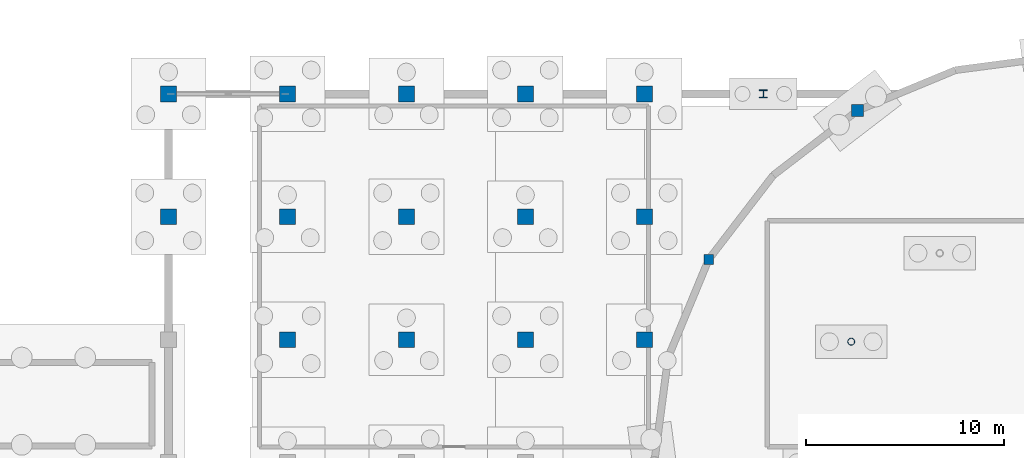
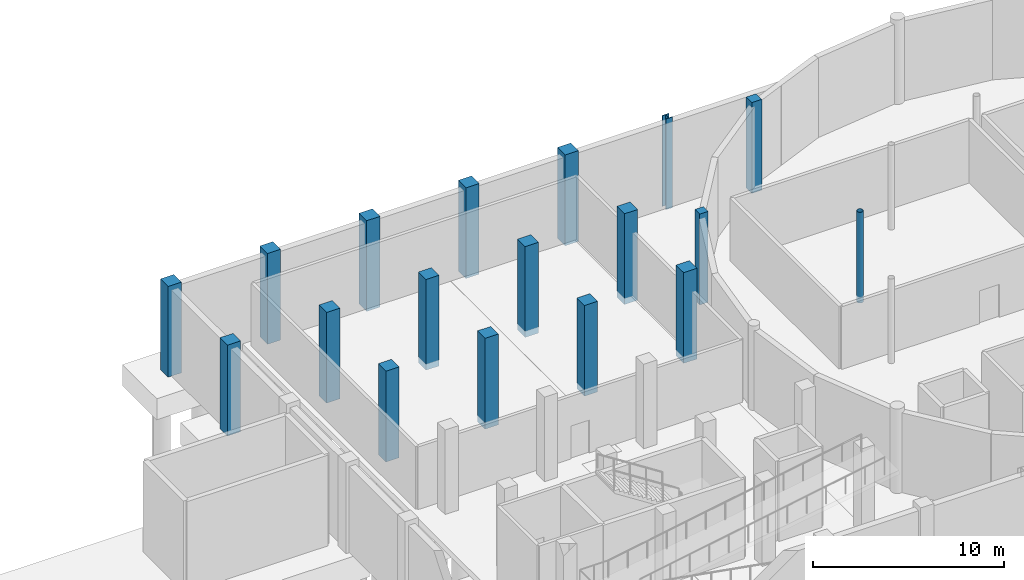
# One storey, part 6 of 19: 18 columns.
"""IFC4 building model written with IfcOpenShell, lengths in metres."""

from ifc_helpers import new_model, si_unit, direction, frame, origin, origin_2d, place, context, subcontext, project, spatial, rectangle, hollow_circle, i_section, extrude, material, material_profile, profile_set, type_object, element, save


model = new_model("IFC4")

# Units and contexts
model_context = context("Model", 3, precision=1e-05, world=origin(), true_north=direction((0.0, 1.0)))
body_context = subcontext(model_context, "Body", "Model", "MODEL_VIEW")
ifc_project = project(units=[si_unit("LENGTHUNIT", "METRE"), si_unit("AREAUNIT", "SQUARE_METRE"), si_unit("VOLUMEUNIT", "CUBIC_METRE"), si_unit("PLANEANGLEUNIT", "RADIAN"), si_unit("MASSUNIT", "GRAM", prefix="KILO")], contexts=[model_context])

# Site, building, storey
site_placement = place(None, origin())
site = spatial("IfcSite", under=ifc_project, at=site_placement, CompositionType="ELEMENT")
building_placement = place(site_placement, origin())
building = spatial("IfcBuilding", under=site, at=building_placement, Name="Mirzam Square Science Centre", CompositionType="ELEMENT")
storey_placement = place(building_placement, frame((0.0, 0.0, -5.39990234375)))
storey = spatial("IfcBuildingStorey", under=building, at=storey_placement, Name="B01", CompositionType="ELEMENT", Elevation=-5.39990234375)

# Columns
ifc_material_1 = material(Name="Steel S355", Category="steel")
ifc_material_profile_1 = material_profile(ifc_material_1, hollow_circle(Radius=0.177734375, WallThickness=0.012451171875, at=origin_2d()), Name="355.6x12.5CHS")
ifc_profile_set_1 = profile_set([ifc_material_profile_1], Name="Steel S355")
column_type_1 = type_object("IfcColumnType", Name="COL-CHS355", PredefinedType="COLUMN", material=ifc_profile_set_1)
column_1_placement = place(storey_placement, frame((70.4345703125, 68.10009765625, -0.400146484375), z_axis=(0.0, 0.0, 1.0), x_axis=(1.0, 0.0, 0.0)))
element("IfcColumn", 1, at=column_1_placement, inside=storey, type_object=column_type_1, Name="B01 inner drum column 06", PredefinedType="COLUMN", context=body_context, shape_type="SweptSolid", body=[
    extrude(hollow_circle(Radius=0.177734375, WallThickness=0.012451171875, at=origin_2d()), origin(), (0.0, 0.0, 1.0), 5.800048828125),
])
ifc_material_2 = material(Name="Concrete C45/55", Category="concrete")
ifc_material_profile_2 = material_profile(ifc_material_2, rectangle(XDim=0.800048828125, YDim=0.800048828125, at=origin_2d()), Name="RC800x800")
ifc_profile_set_2 = profile_set([ifc_material_profile_2], Name="Concrete C45/55")
column_type_2 = type_object("IfcColumnType", Name="COL-RC800", PredefinedType="COLUMN", material=ifc_profile_set_2)
for number, where, z_axis, x_axis, name in (
    (2, (36.0, 74.39990234375, -0.400146484375), (0.0, 0.0, 1.0), (1.0, 0.0, 0.0), "B01 column G07-13"),
    (3, (36.0, 80.60009765625, -0.400146484375), (0.0, 0.0, 1.0), (1.0, 0.0, 0.0), "B01 column G07-14"),
    (4, (42.0, 68.199951171875, -0.400146484375), (0.0, 0.0, 1.0), (1.0, 0.0, 0.0), "B01 column G08-12"),
    (5, (42.0, 74.39990234375, -0.400146484375), (0.0, 0.0, 1.0), (1.0, 0.0, 0.0), "B01 column G08-13"),
    (6, (42.0, 80.60009765625, -0.400146484375), (0.0, 0.0, 1.0), (1.0, 0.0, 0.0), "B01 column G08-14"),
    (7, (48.0, 68.199951171875, -0.400146484375), (0.0, 0.0, 1.0), (1.0, 0.0, 0.0), "B01 column G09-12"),
    (8, (48.0, 74.39990234375, -0.400146484375), (0.0, 0.0, 1.0), (1.0, 0.0, 0.0), "B01 column G09-13"),
    (9, (48.0, 80.60009765625, -0.400146484375), (0.0, 0.0, 1.0), (1.0, 0.0, 0.0), "B01 column G09-14"),
    (10, (54.0, 68.199951171875, -0.400146484375), (0.0, 0.0, 1.0), (1.0, 0.0, 0.0), "B01 column G10-12"),
    (11, (54.0, 74.39990234375, -0.400146484375), (0.0, 0.0, 1.0), (1.0, 0.0, 0.0), "B01 column G10-13"),
    (12, (54.0, 80.60009765625, -0.400146484375), (0.0, 0.0, 1.0), (1.0, 0.0, 0.0), "B01 column G10-14"),
    (13, (60.0, 68.199951171875, -0.400146484375), (0.0, 0.0, 1.0), (1.0, 0.0, 0.0), "B01 column G11-12"),
    (14, (60.0, 74.39990234375, -0.400146484375), (0.0, 0.0, 1.0), (1.0, 0.0, 0.0), "B01 column G11-13"),
    (15, (60.0, 80.60009765625, -0.400146484375), (0.0, 0.0, 1.0), (1.0, 0.0, 0.0), "B01 column G11-14"),
):
    element("IfcColumn", number, at=place(storey_placement, frame(where, z_axis=z_axis, x_axis=x_axis)), inside=storey, type_object=column_type_2, Name=name, PredefinedType="COLUMN", context=body_context, shape_type="SweptSolid", body=[
        extrude(rectangle(XDim=0.800048828125, YDim=0.800048828125, at=origin_2d()), origin(), (0.0, 0.0, 1.0), 5.800048828125),
    ])
ifc_material_profile_3 = material_profile(ifc_material_1, i_section(OverallWidth=0.39892578125, OverallDepth=0.3935546875, WebThickness=0.022705078125, FlangeThickness=0.03662109375, FilletRadius=0.01513671875, at=origin_2d()), Name="356x406x287UC")
ifc_profile_set_3 = profile_set([ifc_material_profile_3], Name="Steel S355")
column_type_3 = type_object("IfcColumnType", Name="COL-UC356B", PredefinedType="COLUMN", material=ifc_profile_set_3)
column_2_placement = place(storey_placement, frame((66.0, 80.60009765625, -0.400146484375), z_axis=(0.0, 0.0, 1.0), x_axis=(1.0, 0.0, 0.0)))
element("IfcColumn", 16, at=column_2_placement, inside=storey, type_object=column_type_3, Name="B01 column G12-14", PredefinedType="COLUMN", context=body_context, shape_type="SweptSolid", body=[
    extrude(i_section(OverallWidth=0.39892578125, OverallDepth=0.3935546875, WebThickness=0.022705078125, FlangeThickness=0.03662109375, FilletRadius=0.01513671875, at=origin_2d()), origin(), (0.0, 0.0, 1.0), 5.800048828125),
])
ifc_material_profile_4 = material_profile(ifc_material_2, rectangle(XDim=0.5, YDim=0.5, at=origin_2d()), Name="RC500x500")
ifc_profile_set_4 = profile_set([ifc_material_profile_4], Name="Concrete C45/55")
column_type_4 = type_object("IfcColumnType", Name="PIL-RC500", PredefinedType="PILASTER", material=ifc_profile_set_4)
column_3_placement = place(storey_placement, frame((63.24658203125, 72.25, -0.400146484375), z_axis=(0.0, 0.0, 1.0), x_axis=(1.0, 0.0, 0.0)))
element("IfcColumn", 17, at=column_3_placement, inside=storey, type_object=column_type_4, Name="B01 drum pilaster 11", PredefinedType="PILASTER", context=body_context, shape_type="SweptSolid", body=[
    extrude(rectangle(XDim=0.5, YDim=0.5, at=origin_2d()), origin(), (0.0, 0.0, 1.0), 5.800048828125),
])
ifc_material_profile_5 = material_profile(ifc_material_2, rectangle(XDim=0.60009765625, YDim=0.60009765625, at=origin_2d()), Name="RC600x600")
ifc_profile_set_5 = profile_set([ifc_material_profile_5], Name="Concrete C45/55")
column_type_5 = type_object("IfcColumnType", Name="PIL-RC600", PredefinedType="PILASTER", material=ifc_profile_set_5)
column_4_placement = place(storey_placement, frame((70.75, 79.75341796875, -0.400146484375), z_axis=(0.0, 0.0, 1.0), x_axis=(1.0, 0.0, 0.0)))
element("IfcColumn", 18, at=column_4_placement, inside=storey, type_object=column_type_5, Name="B01 drum pilaster 09", PredefinedType="PILASTER", context=body_context, shape_type="SweptSolid", body=[
    extrude(rectangle(XDim=0.60009765625, YDim=0.60009765625, at=origin_2d()), origin(), (0.0, 0.0, 1.0), 5.800048828125),
])

save(model, "model.ifc")
